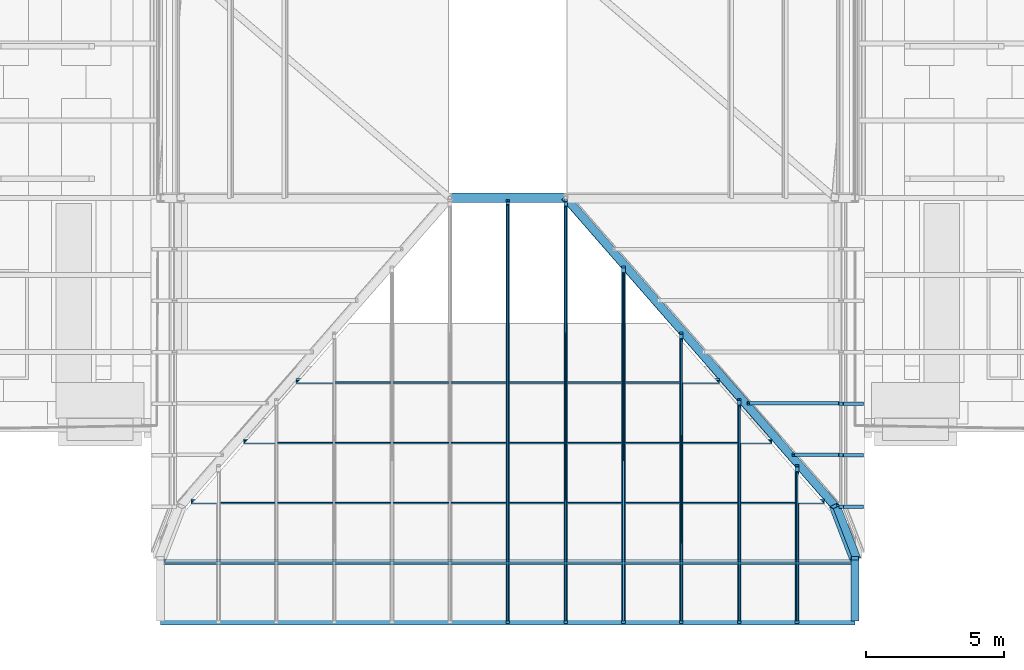
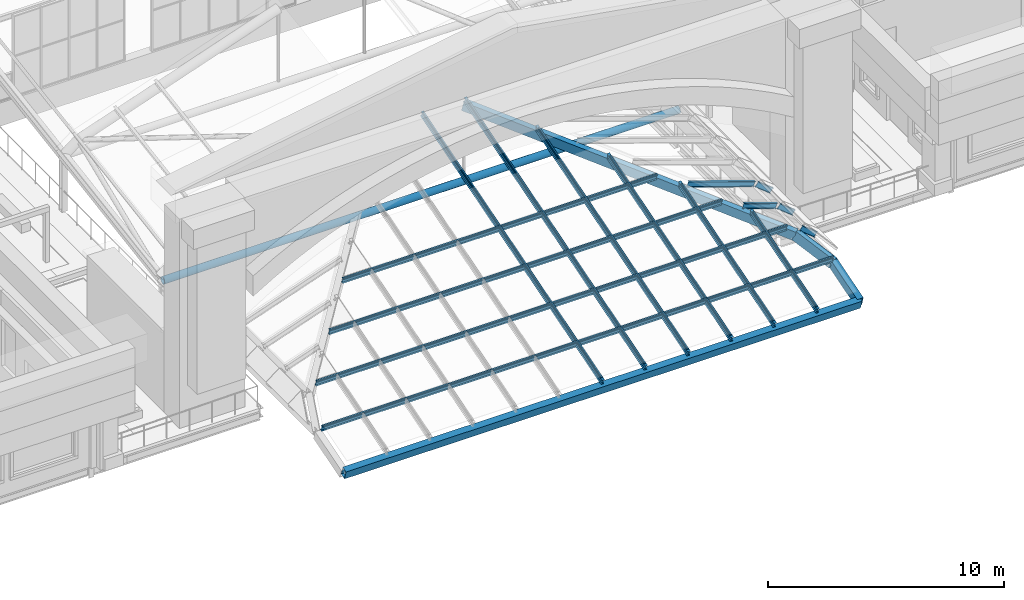
# One storey, part 21 of 76: 26 members, 4 beams.
"""IFC4 building model written with IfcOpenShell, lengths in metres."""

from ifc_helpers import new_model, si_unit, direction, frame, origin, origin_2d, place, context, subcontext, project, spatial, polyline, rectangle, hollow_circle, i_section, outline, extrude, material, material_profile, profile_set, type_object, element, save


model = new_model("IFC4")

# Units and contexts
model_context = context("Model", 3, precision=1e-05, world=origin(), true_north=direction((0.0, 1.0)))
body_context = subcontext(model_context, "Body", "Model", "MODEL_VIEW")
ifc_project = project(units=[si_unit("LENGTHUNIT", "METRE"), si_unit("AREAUNIT", "SQUARE_METRE"), si_unit("VOLUMEUNIT", "CUBIC_METRE"), si_unit("PLANEANGLEUNIT", "RADIAN"), si_unit("MASSUNIT", "GRAM", prefix="KILO")], contexts=[model_context])

# Site, building, storey
site_placement = place(None, origin())
site = spatial("IfcSite", under=ifc_project, at=site_placement, CompositionType="ELEMENT")
building_placement = place(site_placement, origin())
building = spatial("IfcBuilding", under=site, at=building_placement, Name="Sava Quay Ferry Terminal", CompositionType="ELEMENT")
storey_placement = place(building_placement, frame((0.0, 0.0, 10.800048828125)))
storey = spatial("IfcBuildingStorey", under=building, at=storey_placement, Name="L02", CompositionType="ELEMENT", Elevation=10.800048828125)

# Member
ifc_material_1 = material(Name="Steel S355", Category="steel")
ifc_material_profile_1 = material_profile(ifc_material_1, hollow_circle(Radius=0.177734375, WallThickness=0.01611328125, at=origin_2d()), Name="CHS 355.6 x 16.0")
ifc_profile_set_1 = profile_set([ifc_material_profile_1], Name="Steel S355")
member_type_1 = type_object("IfcMemberType", Name="Arch tie CHS 355.6x16", PredefinedType="USERDEFINED", material=ifc_profile_set_1)
member_1_placement = place(storey_placement, frame((50.39990234375, 33.60009765625, 1.466064453125), z_axis=(1.0, 0.0, 0.0), x_axis=(0.0, 1.0, 0.0)))
element("IfcMember", 1, at=member_1_placement, inside=storey, type_object=member_type_1, Name="Arrivals hall arch tie R0", ObjectType="ARCH TIE", PredefinedType="USERDEFINED", context=body_context, shape_type="SweptSolid", body=[
    extrude(hollow_circle(Radius=0.177734375, WallThickness=0.01611328125, at=origin_2d()), origin(), (0.0, 0.0, 1.0), 25.2001953125),
])

# Beams
ifc_material_2 = material(Name="Steel S355", Category="steel")
ifc_material_profile_2 = material_profile(ifc_material_2, outline(polyline([(-0.14990234375, -0.228515625), (0.14990234375, -0.228515625), (0.14990234375, 0.228515625), (-0.14990234375, 0.228515625), (-0.14990234375, -0.228515625)]), holes=[polyline([(-0.1298828125, -0.20849609375), (-0.1298828125, 0.20849609375), (0.1298828125, 0.20849609375), (0.1298828125, -0.20849609375), (-0.1298828125, -0.20849609375)])]), Name="Box 457x300x20 built-up")
ifc_profile_set_2 = profile_set([ifc_material_profile_2], Name="Steel S355")
beam_type = type_object("IfcBeamType", Name="Fascia beam Box 457x300x20", PredefinedType="BEAM", material=ifc_profile_set_2)
beam_1_placement = place(storey_placement, frame((50.39990234375, 18.300048828125, 0.800048828125), z_axis=(1.0, 0.0, 0.0), x_axis=(0.0, 0.957646605694, 0.28794613837)))
element("IfcBeam", 2, at=beam_1_placement, inside=storey, type_object=beam_type, Name="Arrivals hall stern eave fascia beam EA1", PredefinedType="BEAM", context=body_context, shape_type="SweptSolid", body=[
    extrude(outline(polyline([(-0.14990234375, -0.228515625), (0.14990234375, -0.228515625), (0.14990234375, 0.228515625), (-0.14990234375, 0.228515625), (-0.14990234375, -0.228515625)]), holes=[polyline([(-0.1298828125, -0.20849609375), (-0.1298828125, 0.20849609375), (0.1298828125, 0.20849609375), (0.1298828125, -0.20849609375), (-0.1298828125, -0.20849609375)])]), origin(), (0.0, 0.0, 1.0), 25.2001953125),
])
beam_2_placement = place(storey_placement, frame((65.10009765625, 33.60009765625, 5.400390625), z_axis=(0.641507296399, -0.734628289072, -0.220883828204), x_axis=(0.7487697982, 0.662242979182, -0.02789311435)))
element("IfcBeam", 3, at=beam_2_placement, inside=storey, type_object=beam_type, Name="Arrivals hall stern hip fascia beam HI3", PredefinedType="BEAM", context=body_context, shape_type="SweptSolid", body=[
    extrude(outline(polyline([(-0.14990234375, -0.228515625), (0.14990234375, -0.228515625), (0.14990234375, 0.228515625), (-0.14990234375, 0.228515625), (-0.14990234375, -0.228515625)]), holes=[polyline([(-0.1298828125, -0.20849609375), (-0.1298828125, 0.20849609375), (0.1298828125, 0.20849609375), (0.1298828125, -0.20849609375), (-0.1298828125, -0.20849609375)])]), origin(), (0.0, 0.0, 1.0), 15.229736328125),
])
beam_3_placement = place(storey_placement, frame((74.8701171875, 22.411865234375, 2.036376953125), z_axis=(0.345786313886, -0.898581825717, -0.270152785698), x_axis=(0.878880548549, 0.411008524031, -0.242158986115)))
element("IfcBeam", 4, at=beam_3_placement, inside=storey, type_object=beam_type, Name="Arrivals hall stern hip fascia beam HI4", PredefinedType="BEAM", context=body_context, shape_type="SweptSolid", body=[
    extrude(outline(polyline([(-0.14990234375, -0.228515625), (0.14990234375, -0.228515625), (0.14990234375, 0.228515625), (-0.14990234375, 0.228515625), (-0.14990234375, -0.228515625)]), holes=[polyline([(-0.1298828125, -0.20849609375), (-0.1298828125, 0.20849609375), (0.1298828125, 0.20849609375), (0.1298828125, -0.20849609375), (-0.1298828125, -0.20849609375)])]), origin(), (0.0, 0.0, 1.0), 2.111083984375),
])
beam_4_placement = place(storey_placement, frame((75.60009765625, 18.300048828125, 0.800048828125), z_axis=(0.0, 0.95764014417, 0.287967627127), x_axis=(-1.0, 0.0, 0.0)))
element("IfcBeam", 5, at=beam_4_placement, inside=storey, type_object=beam_type, Name="Arrivals hall stern edge fascia beam ED2", PredefinedType="BEAM", context=body_context, shape_type="SweptSolid", body=[
    extrude(outline(polyline([(-0.14990234375, -0.228515625), (0.14990234375, -0.228515625), (0.14990234375, 0.228515625), (-0.14990234375, 0.228515625), (-0.14990234375, -0.228515625)]), holes=[polyline([(-0.1298828125, -0.20849609375), (-0.1298828125, 0.20849609375), (0.1298828125, 0.20849609375), (0.1298828125, -0.20849609375), (-0.1298828125, -0.20849609375)])]), origin(), (0.0, 0.0, 1.0), 2.312744140625),
])

# Members
ifc_material_3 = material(Name="Aluminium EN AW-6063 T6", Category="aluminium")
ifc_material_profile_3 = material_profile(ifc_material_3, rectangle(XDim=0.06005859375, YDim=0.06005859375, at=origin_2d()), Name="Bar 60 x 60")
ifc_profile_set_3 = profile_set([ifc_material_profile_3], Name="Aluminium EN AW-6063 T6")
member_type_2 = type_object("IfcMemberType", Name="Glazing bar 60x60", PredefinedType="USERDEFINED", material=ifc_profile_set_3)
member_2_placement = place(storey_placement, frame((63.0, 18.25732421875, 1.3388671875), z_axis=(0.0, 0.957645180797, 0.287950877228), x_axis=(-1.0, 0.0, 0.0)))
element("IfcMember", 6, at=member_2_placement, inside=storey, type_object=member_type_2, Name="Arrivals hall stern glazing bar GL6", ObjectType="GLAZING BAR", PredefinedType="USERDEFINED", context=body_context, shape_type="SweptSolid", body=[
    extrude(rectangle(XDim=0.06005859375, YDim=0.06005859375, at=origin_2d()), origin(), (0.0, 0.0, 1.0), 15.748046875),
])
member_3_placement = place(storey_placement, frame((65.10009765625, 18.25732421875, 1.3388671875), z_axis=(0.0, 0.957644444229, 0.287953326839), x_axis=(-1.0, 0.0, 0.0)))
element("IfcMember", 7, at=member_3_placement, inside=storey, type_object=member_type_2, Name="Arrivals hall stern glazing bar GL7", ObjectType="GLAZING BAR", PredefinedType="USERDEFINED", context=body_context, shape_type="SweptSolid", body=[
    extrude(rectangle(XDim=0.06005859375, YDim=0.06005859375, at=origin_2d()), origin(), (0.0, 0.0, 1.0), 15.684326171875),
])
member_4_placement = place(storey_placement, frame((67.199951171875, 18.25732421875, 1.3388671875), z_axis=(0.0, 0.957643988579, 0.287954842185), x_axis=(-1.0, 0.0, 0.0)))
element("IfcMember", 8, at=member_4_placement, inside=storey, type_object=member_type_2, Name="Arrivals hall stern glazing bar GL8", ObjectType="GLAZING BAR", PredefinedType="USERDEFINED", context=body_context, shape_type="SweptSolid", body=[
    extrude(rectangle(XDim=0.06005859375, YDim=0.06005859375, at=origin_2d()), origin(), (0.0, 0.0, 1.0), 13.1728515625),
])
member_5_placement = place(storey_placement, frame((69.300048828125, 18.25732421875, 1.3388671875), z_axis=(0.0, 0.957645216983, 0.287950756882), x_axis=(-1.0, 0.0, 0.0)))
element("IfcMember", 9, at=member_5_placement, inside=storey, type_object=member_type_2, Name="Arrivals hall stern glazing bar GL9", ObjectType="GLAZING BAR", PredefinedType="USERDEFINED", context=body_context, shape_type="SweptSolid", body=[
    extrude(rectangle(XDim=0.06005859375, YDim=0.06005859375, at=origin_2d()), origin(), (0.0, 0.0, 1.0), 10.661865234375),
])
member_6_placement = place(storey_placement, frame((71.39990234375, 18.25732421875, 1.3388671875), z_axis=(0.0, 0.957638942278, 0.287971624005), x_axis=(-1.0, 0.0, 0.0)))
element("IfcMember", 10, at=member_6_placement, inside=storey, type_object=member_type_2, Name="Arrivals hall stern glazing bar GL10", ObjectType="GLAZING BAR", PredefinedType="USERDEFINED", context=body_context, shape_type="SweptSolid", body=[
    extrude(rectangle(XDim=0.06005859375, YDim=0.06005859375, at=origin_2d()), origin(), (0.0, 0.0, 1.0), 8.150634765625),
])
member_7_placement = place(storey_placement, frame((73.5, 18.25732421875, 1.3388671875), z_axis=(0.0, 0.957639017708, 0.287971373166), x_axis=(-1.0, 0.0, 0.0)))
element("IfcMember", 11, at=member_7_placement, inside=storey, type_object=member_type_2, Name="Arrivals hall stern glazing bar GL11", ObjectType="GLAZING BAR", PredefinedType="USERDEFINED", context=body_context, shape_type="SweptSolid", body=[
    extrude(rectangle(XDim=0.06005859375, YDim=0.06005859375, at=origin_2d()), origin(), (0.0, 0.0, 1.0), 5.6396484375),
])
member_8_placement = place(storey_placement, frame((50.51416015625, 20.33349609375, 1.96337890625), z_axis=(1.0, 0.0, 0.0), x_axis=(0.0, 0.957646605694, 0.28794613837)))
element("IfcMember", 12, at=member_8_placement, inside=storey, type_object=member_type_2, Name="Arrivals hall stern glazing bar GL12", ObjectType="GLAZING BAR", PredefinedType="USERDEFINED", context=body_context, shape_type="SweptSolid", body=[
    extrude(rectangle(XDim=0.06005859375, YDim=0.06005859375, at=origin_2d()), origin(), (0.0, 0.0, 1.0), 24.9716796875),
])
member_9_placement = place(storey_placement, frame((51.505615234375, 22.519287109375, 2.620361328125), z_axis=(1.0, 0.0, 0.0), x_axis=(0.0, 0.957646605694, 0.28794613837)))
element("IfcMember", 13, at=member_9_placement, inside=storey, type_object=member_type_2, Name="Arrivals hall stern glazing bar GL13", ObjectType="GLAZING BAR", PredefinedType="USERDEFINED", context=body_context, shape_type="SweptSolid", body=[
    extrude(rectangle(XDim=0.06005859375, YDim=0.06005859375, at=origin_2d()), origin(), (0.0, 0.0, 1.0), 22.98876953125),
])
member_10_placement = place(storey_placement, frame((53.414306640625, 24.705078125, 3.277587890625), z_axis=(1.0, 0.0, 0.0), x_axis=(0.0, 0.957646605694, 0.28794613837)))
element("IfcMember", 14, at=member_10_placement, inside=storey, type_object=member_type_2, Name="Arrivals hall stern glazing bar GL14", ObjectType="GLAZING BAR", PredefinedType="USERDEFINED", context=body_context, shape_type="SweptSolid", body=[
    extrude(rectangle(XDim=0.06005859375, YDim=0.06005859375, at=origin_2d()), origin(), (0.0, 0.0, 1.0), 19.17138671875),
])
member_11_placement = place(storey_placement, frame((55.322998046875, 26.890625, 3.934814453125), z_axis=(1.0, 0.0, 0.0), x_axis=(0.0, 0.957646605694, 0.28794613837)))
element("IfcMember", 15, at=member_11_placement, inside=storey, type_object=member_type_2, Name="Arrivals hall stern glazing bar GL15", ObjectType="GLAZING BAR", PredefinedType="USERDEFINED", context=body_context, shape_type="SweptSolid", body=[
    extrude(rectangle(XDim=0.06005859375, YDim=0.06005859375, at=origin_2d()), origin(), (0.0, 0.0, 1.0), 15.35400390625),
])
ifc_material_4 = material(Name="Steel S355", Category="steel")
ifc_material_profile_4 = material_profile(ifc_material_4, i_section(OverallWidth=0.135009765625, OverallDepth=0.27001953125, WebThickness=0.006591796875, FlangeThickness=0.01025390625, at=origin_2d()), Name="IPE 270")
ifc_profile_set_4 = profile_set([ifc_material_profile_4], Name="Steel S355")
member_type_3 = type_object("IfcMemberType", Name="Roof purlin IPE 270", PredefinedType="PURLIN", material=ifc_profile_set_4)
member_12_placement = place(storey_placement, frame((50.51416015625, 20.381103515625, 1.80517578125), z_axis=(1.0, 0.0, 0.0), x_axis=(0.0, 0.957646605694, 0.28794613837)))
element("IfcMember", 16, at=member_12_placement, inside=storey, type_object=member_type_3, Name="Arrivals hall stern purlin PU1", PredefinedType="PURLIN", context=body_context, shape_type="SweptSolid", body=[
    extrude(i_section(OverallWidth=0.135009765625, OverallDepth=0.27001953125, WebThickness=0.006591796875, FlangeThickness=0.01025390625, at=origin_2d()), origin(), (0.0, 0.0, 1.0), 24.9716796875),
])
member_13_placement = place(storey_placement, frame((51.505615234375, 22.566650390625, 2.46240234375), z_axis=(1.0, 0.0, 0.0), x_axis=(0.0, 0.957646605694, 0.28794613837)))
element("IfcMember", 17, at=member_13_placement, inside=storey, type_object=member_type_3, Name="Arrivals hall stern purlin PU2", PredefinedType="PURLIN", context=body_context, shape_type="SweptSolid", body=[
    extrude(i_section(OverallWidth=0.135009765625, OverallDepth=0.27001953125, WebThickness=0.006591796875, FlangeThickness=0.01025390625, at=origin_2d()), origin(), (0.0, 0.0, 1.0), 22.98876953125),
])
member_14_placement = place(storey_placement, frame((53.414306640625, 24.75244140625, 3.11962890625), z_axis=(1.0, 0.0, 0.0), x_axis=(0.0, 0.957646605694, 0.28794613837)))
element("IfcMember", 18, at=member_14_placement, inside=storey, type_object=member_type_3, Name="Arrivals hall stern purlin PU3", PredefinedType="PURLIN", context=body_context, shape_type="SweptSolid", body=[
    extrude(i_section(OverallWidth=0.135009765625, OverallDepth=0.27001953125, WebThickness=0.006591796875, FlangeThickness=0.01025390625, at=origin_2d()), origin(), (0.0, 0.0, 1.0), 19.17138671875),
])
member_15_placement = place(storey_placement, frame((55.322998046875, 26.938232421875, 3.77685546875), z_axis=(1.0, 0.0, 0.0), x_axis=(0.0, 0.957646605694, 0.28794613837)))
element("IfcMember", 19, at=member_15_placement, inside=storey, type_object=member_type_3, Name="Arrivals hall stern purlin PU4", PredefinedType="PURLIN", context=body_context, shape_type="SweptSolid", body=[
    extrude(i_section(OverallWidth=0.135009765625, OverallDepth=0.27001953125, WebThickness=0.006591796875, FlangeThickness=0.01025390625, at=origin_2d()), origin(), (0.0, 0.0, 1.0), 15.35400390625),
])
ifc_material_5 = material(Name="Steel S355", Category="steel")
ifc_material_profile_5 = material_profile(ifc_material_5, i_section(OverallWidth=0.135009765625, OverallDepth=0.27001953125, WebThickness=0.006591796875, FlangeThickness=0.01025390625, at=origin_2d()), Name="IPE 270")
ifc_profile_set_5 = profile_set([ifc_material_profile_5], Name="Steel S355")
member_type_4 = type_object("IfcMemberType", Name="Roof rafter IPE 270", PredefinedType="RAFTER", material=ifc_profile_set_5)
member_16_placement = place(storey_placement, frame((74.98828125, 24.276611328125, 2.3798828125), z_axis=(-0.945488932139, 0.0, 0.325654232587), x_axis=(0.0, -1.0, 0.0)))
element("IfcMember", 20, at=member_16_placement, inside=storey, type_object=member_type_4, Name="Arrivals hall stern rafter RA12", PredefinedType="RAFTER", context=body_context, shape_type="SweptSolid", body=[
    extrude(i_section(OverallWidth=0.135009765625, OverallDepth=0.27001953125, WebThickness=0.006591796875, FlangeThickness=0.01025390625, at=origin_2d()), origin(), (0.0, 0.0, 1.0), 1.721923828125),
])
member_17_placement = place(storey_placement, frame((74.98828125, 26.14111328125, 2.3798828125), z_axis=(-0.945496448983, 0.0, 0.325632407724), x_axis=(0.0, -1.0, 0.0)))
element("IfcMember", 21, at=member_17_placement, inside=storey, type_object=member_type_4, Name="Arrivals hall stern rafter RA13", PredefinedType="RAFTER", context=body_context, shape_type="SweptSolid", body=[
    extrude(i_section(OverallWidth=0.135009765625, OverallDepth=0.27001953125, WebThickness=0.006591796875, FlangeThickness=0.01025390625, at=origin_2d()), origin(), (0.0, 0.0, 1.0), 3.4443359375),
])
member_18_placement = place(storey_placement, frame((75.82373046875, 22.38427734375, 1.75244140625), z_axis=(-0.787967599837, 0.0, 0.615716705643), x_axis=(0.0, -1.0, 0.0)))
element("IfcMember", 22, at=member_18_placement, inside=storey, type_object=member_type_4, Name="Arrivals hall stern rafter RA17", PredefinedType="RAFTER", context=body_context, shape_type="SweptSolid", body=[
    extrude(i_section(OverallWidth=0.135009765625, OverallDepth=0.27001953125, WebThickness=0.006591796875, FlangeThickness=0.01025390625, at=origin_2d()), origin(), (0.0, 0.0, 1.0), 0.912841796875),
])
for number, where, z_axis, x_axis, name in (
    (23, (75.82373046875, 24.253662109375, 1.75244140625), (-0.788016382432, 0.0, 0.61565427069), (0.0, -1.0, 0.0), "Arrivals hall stern rafter RA18"),
    (24, (75.82373046875, 26.122802734375, 1.75244140625), (-0.788016382432, 0.0, 0.61565427069), (0.0, -1.0, 0.0), "Arrivals hall stern rafter RA19"),
):
    element("IfcMember", number, at=place(storey_placement, frame(where, z_axis=z_axis, x_axis=x_axis)), inside=storey, type_object=member_type_4, Name=name, PredefinedType="RAFTER", context=body_context, shape_type="SweptSolid", body=[
        extrude(i_section(OverallWidth=0.135009765625, OverallDepth=0.27001953125, WebThickness=0.006591796875, FlangeThickness=0.01025390625, at=origin_2d()), origin(), (0.0, 0.0, 1.0), 0.92626953125),
    ])
for number, where, z_axis, x_axis, name in (
    (25, (63.0, 18.1953125, 1.14794921875), (0.0, 0.957643982789, 0.287954861442), (-1.0, 0.0, 0.0), "Arrivals hall stern rafter RA28"),
    (26, (65.10009765625, 18.1953125, 1.14794921875), (0.0, 0.957643982789, 0.287954861442), (-1.0, 0.0, 0.0), "Arrivals hall stern rafter RA29"),
):
    element("IfcMember", number, at=place(storey_placement, frame(where, z_axis=z_axis, x_axis=x_axis)), inside=storey, type_object=member_type_4, Name=name, PredefinedType="RAFTER", context=body_context, shape_type="SweptSolid", body=[
        extrude(i_section(OverallWidth=0.135009765625, OverallDepth=0.27001953125, WebThickness=0.006591796875, FlangeThickness=0.01025390625, at=origin_2d()), origin(), (0.0, 0.0, 1.0), 15.976806640625),
    ])
member_19_placement = place(storey_placement, frame((67.199951171875, 18.1953125, 1.14794921875), z_axis=(0.0, 0.957644954336, 0.287951630375), x_axis=(-1.0, 0.0, 0.0)))
element("IfcMember", 27, at=member_19_placement, inside=storey, type_object=member_type_4, Name="Arrivals hall stern rafter RA30", PredefinedType="RAFTER", context=body_context, shape_type="SweptSolid", body=[
    extrude(i_section(OverallWidth=0.135009765625, OverallDepth=0.27001953125, WebThickness=0.006591796875, FlangeThickness=0.01025390625, at=origin_2d()), origin(), (0.0, 0.0, 1.0), 13.465576171875),
])
member_20_placement = place(storey_placement, frame((69.300048828125, 18.1953125, 1.14794921875), z_axis=(0.0, 0.957644523348, 0.287953063714), x_axis=(-1.0, 0.0, 0.0)))
element("IfcMember", 28, at=member_20_placement, inside=storey, type_object=member_type_4, Name="Arrivals hall stern rafter RA31", PredefinedType="RAFTER", context=body_context, shape_type="SweptSolid", body=[
    extrude(i_section(OverallWidth=0.135009765625, OverallDepth=0.27001953125, WebThickness=0.006591796875, FlangeThickness=0.01025390625, at=origin_2d()), origin(), (0.0, 0.0, 1.0), 10.9541015625),
])
member_21_placement = place(storey_placement, frame((71.39990234375, 18.1953125, 1.14794921875), z_axis=(0.0, 0.9576462336, 0.287947375874), x_axis=(-1.0, 0.0, 0.0)))
element("IfcMember", 29, at=member_21_placement, inside=storey, type_object=member_type_4, Name="Arrivals hall stern rafter RA32", PredefinedType="RAFTER", context=body_context, shape_type="SweptSolid", body=[
    extrude(i_section(OverallWidth=0.135009765625, OverallDepth=0.27001953125, WebThickness=0.006591796875, FlangeThickness=0.01025390625, at=origin_2d()), origin(), (0.0, 0.0, 1.0), 8.443115234375),
])
member_22_placement = place(storey_placement, frame((73.5, 18.1953125, 1.14794921875), z_axis=(0.0, 0.957638042329, 0.287974616735), x_axis=(-1.0, 0.0, 0.0)))
element("IfcMember", 30, at=member_22_placement, inside=storey, type_object=member_type_4, Name="Arrivals hall stern rafter RA33", PredefinedType="RAFTER", context=body_context, shape_type="SweptSolid", body=[
    extrude(i_section(OverallWidth=0.135009765625, OverallDepth=0.27001953125, WebThickness=0.006591796875, FlangeThickness=0.01025390625, at=origin_2d()), origin(), (0.0, 0.0, 1.0), 5.931884765625),
])

save(model, "model.ifc")
